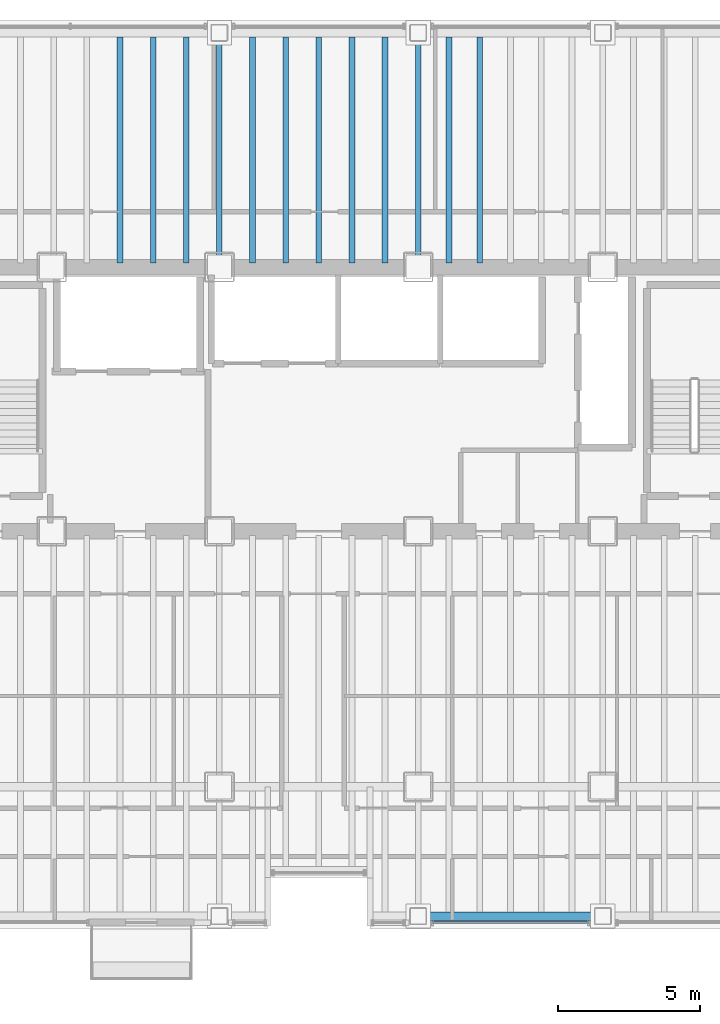
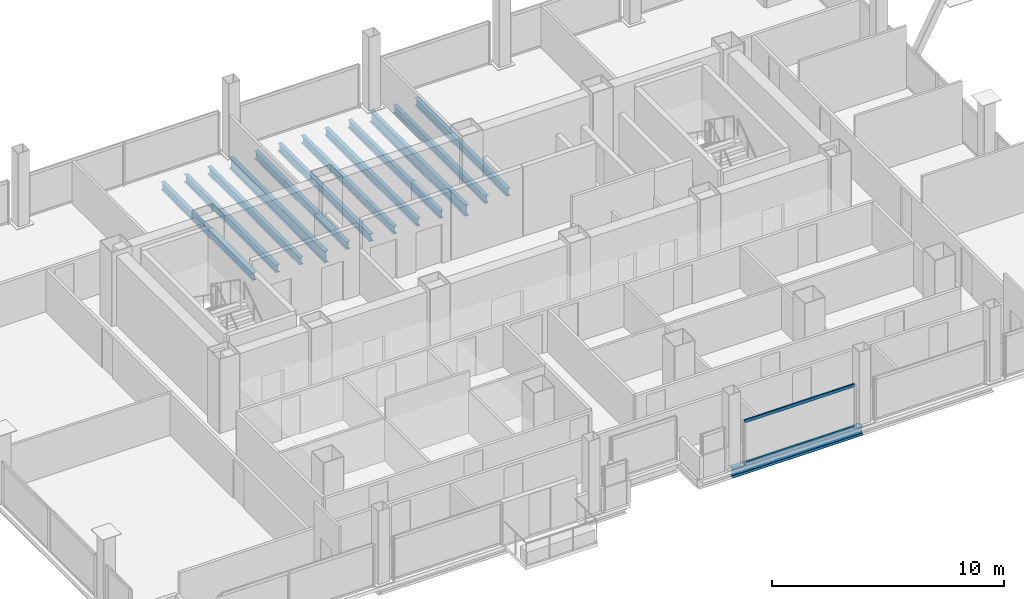
# One storey, part 8 of 21: 13 beams, 2 members, 1 element without a shape of its own.
"""IFC4 building model written with IfcOpenShell, lengths in metres."""

from ifc_helpers import new_model, si_unit, direction, frame, origin, origin_2d, place, context, subcontext, project, spatial, hollow_rectangle, i_section, extrude, material, material_profile, profile_set, type_object, element, aggregate, save


model = new_model("IFC4")

# Units and contexts
model_context = context("Model", 3, precision=1e-05, world=origin(), true_north=direction((0.0, 1.0)))
body_context = subcontext(model_context, "Body", "Model", "MODEL_VIEW")
ifc_project = project(units=[si_unit("LENGTHUNIT", "METRE"), si_unit("AREAUNIT", "SQUARE_METRE"), si_unit("VOLUMEUNIT", "CUBIC_METRE"), si_unit("PLANEANGLEUNIT", "RADIAN"), si_unit("MASSUNIT", "GRAM", prefix="KILO")], contexts=[model_context])

# Site, building, storey
site_placement = place(None, origin())
site = spatial("IfcSite", under=ifc_project, at=site_placement, CompositionType="ELEMENT")
building_placement = place(site_placement, origin())
building = spatial("IfcBuilding", under=site, at=building_placement, Name="Noeulbin Bourse Tower", CompositionType="ELEMENT")
storey_placement = place(building_placement, frame((0.0, 0.0, 49.89990234375)))
storey = spatial("IfcBuildingStorey", under=building, at=storey_placement, Name="L12", CompositionType="ELEMENT", Elevation=49.89990234375)

# Beams
ifc_material_1 = material(Name="Steel S355", Category="steel")
ifc_material_profile_1 = material_profile(ifc_material_1, i_section(OverallWidth=0.199951171875, OverallDepth=0.60009765625, WebThickness=0.010986328125, FlangeThickness=0.01708984375, FilletRadius=0.02197265625, at=origin_2d()), Name="H-600x200x11x17", Category="LoadBearing")
ifc_profile_set_1 = profile_set([ifc_material_profile_1], Name="Steel S355")
beam_type_1 = type_object("IfcBeamType", Name="BM-GRD-600", PredefinedType="USERDEFINED", material=ifc_profile_set_1)
for number, where, z_axis, x_axis, name in (
    (1, (24.0, 38.300048828125, -0.47998046875), (0.0, 1.0, 0.0), (-1.0, 0.0, 0.0), "Tower Primary Girder NS L12-2.4"),
    (2, (31.0, 38.300048828125, -0.47998046875), (0.0, 1.0, 0.0), (-1.0, 0.0, 0.0), "Tower Primary Girder NS L12-3.4"),
):
    element("IfcBeam", number, at=place(storey_placement, frame(where, z_axis=z_axis, x_axis=x_axis)), inside=storey, type_object=beam_type_1, Name=name, ObjectType="GIRDER", PredefinedType="USERDEFINED", context=body_context, shape_type="SweptSolid", body=[
        extrude(i_section(OverallWidth=0.199951171875, OverallDepth=0.60009765625, WebThickness=0.010986328125, FlangeThickness=0.01708984375, FilletRadius=0.02197265625, at=origin_2d()), origin(), (0.0, 0.0, 1.0), 8.25),
    ])
ifc_material_profile_2 = material_profile(ifc_material_1, i_section(OverallWidth=0.199951171875, OverallDepth=0.39990234375, WebThickness=0.008056640625, FlangeThickness=0.012939453125, FilletRadius=0.01611328125, at=origin_2d()), Name="H-400x200x8x13", Category="LoadBearing")
ifc_profile_set_2 = profile_set([ifc_material_profile_2], Name="Steel S355")
beam_type_2 = type_object("IfcBeamType", Name="BM-SEC-400", PredefinedType="BEAM", material=ifc_profile_set_2)
for number, where, z_axis, x_axis, name in (
    (3, (20.5, 38.449951171875, -0.3798828125), (0.0, 1.0, 0.0), (-1.0, 0.0, 0.0), "Tower Composite Joist L12-18"),
    (4, (21.666748046875, 38.449951171875, -0.3798828125), (0.0, 1.0, 0.0), (-1.0, 0.0, 0.0), "Tower Composite Joist L12-21"),
    (5, (22.833251953125, 38.449951171875, -0.3798828125), (0.0, 1.0, 0.0), (-1.0, 0.0, 0.0), "Tower Composite Joist L12-24"),
    (6, (25.166748046875, 38.449951171875, -0.3798828125), (0.0, 1.0, 0.0), (-1.0, 0.0, 0.0), "Tower Composite Joist L12-27"),
    (7, (26.333251953125, 38.449951171875, -0.3798828125), (0.0, 1.0, 0.0), (-1.0, 0.0, 0.0), "Tower Composite Joist L12-30"),
    (8, (27.5, 38.449951171875, -0.3798828125), (0.0, 1.0, 0.0), (-1.0, 0.0, 0.0), "Tower Composite Joist L12-33"),
    (9, (28.666748046875, 38.449951171875, -0.3798828125), (0.0, 1.0, 0.0), (-1.0, 0.0, 0.0), "Tower Composite Joist L12-36"),
    (10, (29.833251953125, 38.449951171875, -0.3798828125), (0.0, 1.0, 0.0), (-1.0, 0.0, 0.0), "Tower Composite Joist L12-39"),
    (11, (32.083251953125, 38.449951171875, -0.3798828125), (0.0, 1.0, 0.0), (-1.0, 0.0, 0.0), "Tower Composite Joist L12-42"),
    (12, (33.166748046875, 38.449951171875, -0.3798828125), (0.0, 1.0, 0.0), (-1.0, 0.0, 0.0), "Tower Composite Joist L12-45"),
):
    element("IfcBeam", number, at=place(storey_placement, frame(where, z_axis=z_axis, x_axis=x_axis)), inside=storey, type_object=beam_type_2, Name=name, PredefinedType="BEAM", context=body_context, shape_type="SweptSolid", body=[
        extrude(i_section(OverallWidth=0.199951171875, OverallDepth=0.39990234375, WebThickness=0.008056640625, FlangeThickness=0.012939453125, FilletRadius=0.01611328125, at=origin_2d()), origin(), (0.0, 0.0, 1.0), 7.949951171875),
    ])
ifc_material_profile_3 = material_profile(ifc_material_1, i_section(OverallWidth=0.300048828125, OverallDepth=0.488037109375, WebThickness=0.010986328125, FlangeThickness=0.01806640625, FilletRadius=0.02197265625, at=origin_2d()), Name="H-488x300x11x18", Category="LoadBearing")
ifc_profile_set_3 = profile_set([ifc_material_profile_3], Name="Steel S355")
beam_type_3 = type_object("IfcBeamType", Name="BM-SPN-488", PredefinedType="SPANDREL", material=ifc_profile_set_3)
beam_placement = place(storey_placement, frame((31.0, 15.449951171875, -0.423828125), z_axis=(1.0, 0.0, 0.0), x_axis=(0.0, 1.0, 0.0)))
element("IfcBeam", 13, at=beam_placement, inside=storey, type_object=beam_type_3, Name="South Spandrel L12-3", PredefinedType="SPANDREL", context=body_context, shape_type="SweptSolid", body=[
    extrude(i_section(OverallWidth=0.300048828125, OverallDepth=0.488037109375, WebThickness=0.010986328125, FlangeThickness=0.01806640625, FilletRadius=0.02197265625, at=origin_2d()), origin(), (0.0, 0.0, 1.0), 6.5),
])

# Curtain wall, members
ifc_material_2 = material(Name="Dark Solar-Control Double Glazing", Category="glass")
curtain_wall_type = type_object("IfcCurtainWallType", Name="CW-SYS-2", PredefinedType="NOTDEFINED", material=ifc_material_2)
curtain_wall_placement = place(storey_placement, origin())
curtain_wall = element("IfcCurtainWall", 14, at=curtain_wall_placement, inside=storey, type_object=curtain_wall_type, Name="Unitised Curtain Wall CW-L12-S3-S2", PredefinedType="NOTDEFINED")
ifc_material_3 = material(Name="Anodised Aluminium 6063-T6", Category="aluminium")
ifc_material_profile_4 = material_profile(ifc_material_3, hollow_rectangle(XDim=0.074951171875, YDim=0.159912109375, WallThickness=0.0048828125, InnerFilletRadius=0.00244140625, OuterFilletRadius=0.0048828125, at=origin_2d()), Name="ALU-TRAN-75x160x5", Category="LoadBearing")
ifc_profile_set_4 = profile_set([ifc_material_profile_4], Name="Anodised Aluminium 6063-T6")
member_type = type_object("IfcMemberType", Name="CW-SYS-2-TRN", PredefinedType="USERDEFINED", material=ifc_profile_set_4)
member_1_placement = place(storey_placement, frame((31.510009765625, 15.219970703125, 0.010009765625), z_axis=(1.0, 0.0, 0.0), x_axis=(0.0, 1.0, 0.0)))
member_1 = element("IfcMember", 15, at=member_1_placement, type_object=member_type, Name="Curtain Wall Transom CW-L12-S3-S2-T00", ObjectType="TRANSOM", PredefinedType="USERDEFINED", context=body_context, shape_type="SweptSolid", body=[
    extrude(hollow_rectangle(XDim=0.074951171875, YDim=0.159912109375, WallThickness=0.0048828125, InnerFilletRadius=0.00244140625, OuterFilletRadius=0.0048828125, at=origin_2d()), origin(), (0.0, 0.0, 1.0), 5.47998046875),
])
member_2_placement = place(storey_placement, frame((31.510009765625, 15.219970703125, 2.210205078125), z_axis=(1.0, 0.0, 0.0), x_axis=(0.0, 1.0, 0.0)))
member_2 = element("IfcMember", 16, at=member_2_placement, type_object=member_type, Name="Curtain Wall Transom CW-L12-S3-S2-T01", ObjectType="TRANSOM", PredefinedType="USERDEFINED", context=body_context, shape_type="SweptSolid", body=[
    extrude(hollow_rectangle(XDim=0.074951171875, YDim=0.159912109375, WallThickness=0.0048828125, InnerFilletRadius=0.00244140625, OuterFilletRadius=0.0048828125, at=origin_2d()), origin(), (0.0, 0.0, 1.0), 5.47998046875),
])
aggregate(curtain_wall, [member_1, member_2])

save(model, "model.ifc")
